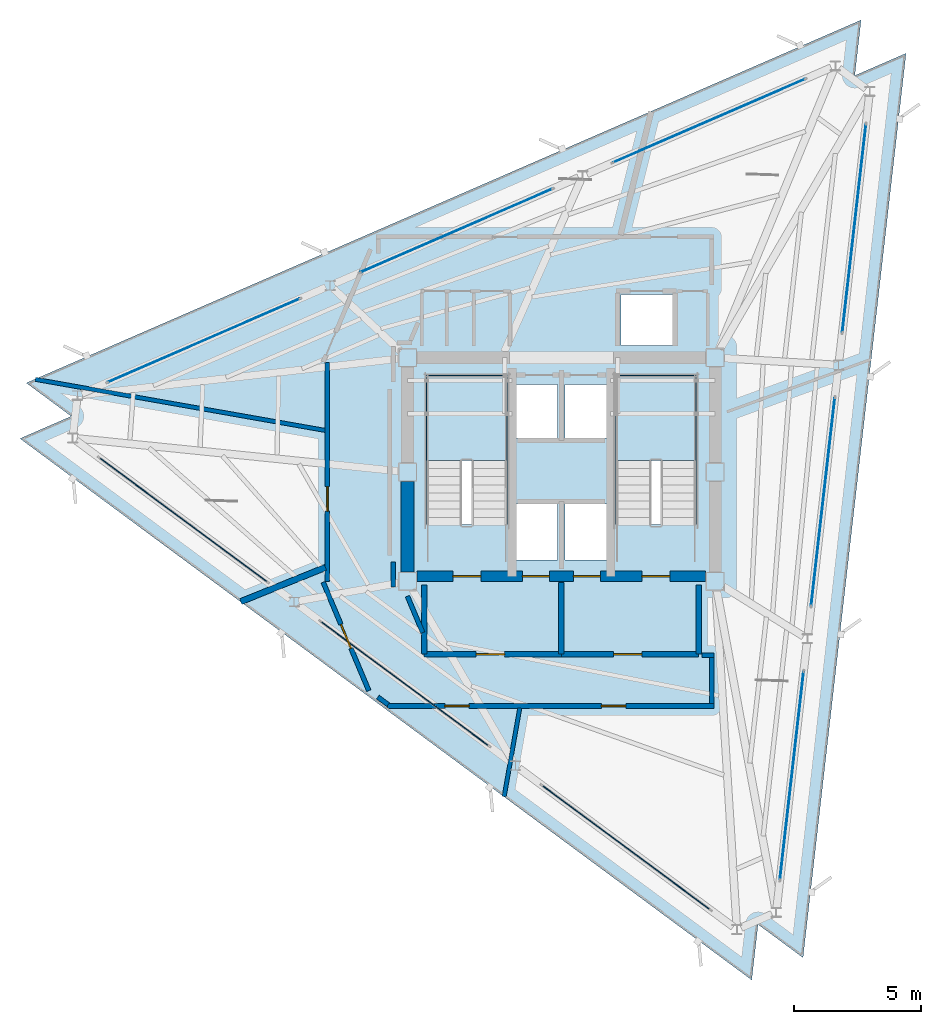
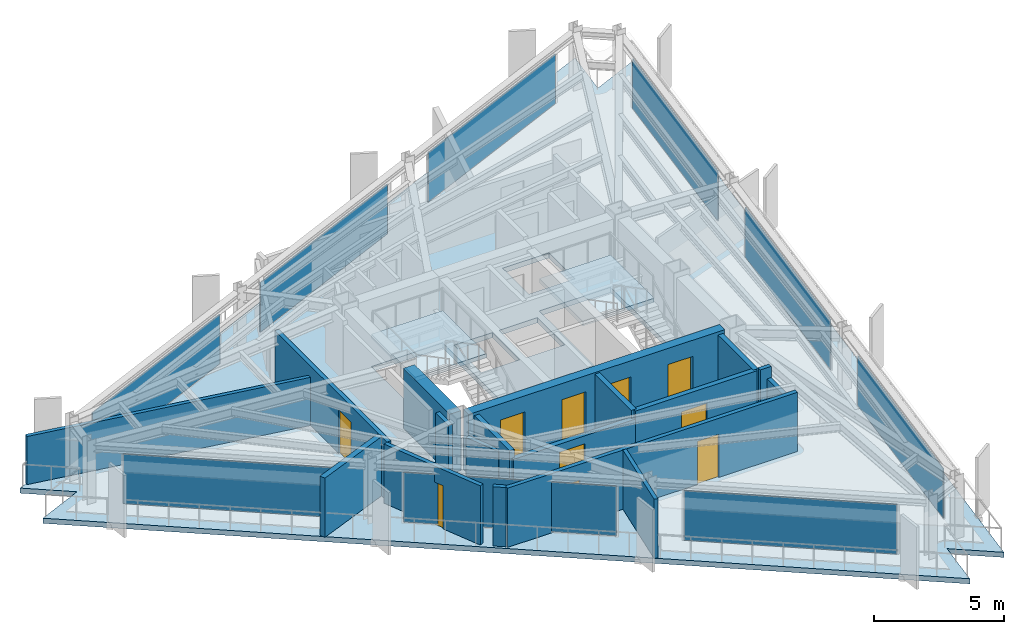
# One storey, part 5 of 10: 18 walls, 10 doors, 9 plates, 3 slabs, 10 openings, 11 elements without a shape of their own.
"""IFC4 building model written with IfcOpenShell, lengths in metres."""

import ifcopenshell
import ifcopenshell.guid

model = None  # the IFC model being written
_history = None  # IfcOwnerHistory: only IFC2X3 demands one
_inside = {}  # id of a spatial element -> (the spatial element, [elements in it])
_under = {}  # id of a project, library or spatial element -> (it, [spatial elements below it])
_declared = {}  # id of a project -> (the project, [libraries it declares])
_typed = {}  # id of a type object -> (the type object, [elements of that type])
_made_of = {}  # id of a material, layer set ... -> (it, [elements and type objects made of it])


def new_model(schema):
    """Start an empty IFC model of exactly this schema.

    Asked for "IFC4X3", IfcOpenShell would pick the latest addendum, in which some entities
    have other attributes; the version numbers below select the first issue.
    IFC2X3 requires an IfcOwnerHistory on every rooted entity: one is made here for all.
    """
    global model, _history
    if schema == "IFC4X3":
        model = ifcopenshell.file(schema_version=(4, 3, 0, 0))
    else:
        model = ifcopenshell.file(schema=schema)
    _inside.clear()
    _under.clear()
    _declared.clear()
    _typed.clear()
    _made_of.clear()
    _history = None
    if model.schema == "IFC2X3":
        org = make("IfcOrganization", Name="unknown")
        user = make(
            "IfcPersonAndOrganization",
            ThePerson=make("IfcPerson", FamilyName="unknown"),
            TheOrganization=org,
        )
        app = make(
            "IfcApplication",
            ApplicationDeveloper=org,
            Version="unknown",
            ApplicationFullName="unknown",
            ApplicationIdentifier="unknown",
        )
        _history = make(
            "IfcOwnerHistory",
            OwningUser=user,
            OwningApplication=app,
            ChangeAction="ADDED",
            CreationDate=0,
        )
    return model


def make(cls, **values):
    """One entity of the class cls with the attributes given. An attribute that is None is left unset."""
    return model.create_entity(
        cls, **{name: value for name, value in values.items() if value is not None}
    )


def rooted(cls, **values):
    """An entity with a GlobalId (a new one), such as an element, a storey or a relation."""
    return make(cls, GlobalId=ifcopenshell.guid.new(), OwnerHistory=_history, **values)


def si_unit(unit_type, name, prefix=None):
    """IfcSIUnit, for example si_unit("LENGTHUNIT", "METRE", prefix="MILLI")."""
    return make("IfcSIUnit", UnitType=unit_type, Prefix=prefix, Name=name)


def assignment(units):
    """IfcUnitAssignment: the units of a project."""
    return None if units is None else make("IfcUnitAssignment", Units=units)


def point(xyz):
    """IfcCartesianPoint."""
    return None if xyz is None else make("IfcCartesianPoint", Coordinates=xyz)


def direction(xyz):
    """IfcDirection."""
    return None if xyz is None else make("IfcDirection", DirectionRatios=xyz)


def frame(location, z_axis=None, x_axis=None):
    """IfcAxis2Placement3D, a coordinate frame: its origin and axes. An axis left out is left unset."""
    return make(
        "IfcAxis2Placement3D",
        Location=point(location),
        Axis=direction(z_axis),
        RefDirection=direction(x_axis),
    )


def frame_2d(location, x_axis=None):
    """IfcAxis2Placement2D, a coordinate frame in the plane: its origin and x axis."""
    return make(
        "IfcAxis2Placement2D", Location=point(location), RefDirection=direction(x_axis)
    )


def origin():
    """The frame at (0, 0, 0) with its axes left unset."""
    return frame((0.0, 0.0, 0.0))


def origin_2d():
    """The frame at (0, 0) in the plane with its x axis left unset."""
    return frame_2d((0.0, 0.0))


def place(relative_to, where):
    """IfcLocalPlacement: puts the frame where relative to a parent placement (None: the world)."""
    return make(
        "IfcLocalPlacement", PlacementRelTo=relative_to, RelativePlacement=where
    )


def context(
    kind, dimensions, precision=None, world=None, true_north=None, identifier=None
):
    """IfcGeometricRepresentationContext, for example the 3D "Model" context."""
    return make(
        "IfcGeometricRepresentationContext",
        ContextIdentifier=identifier,
        ContextType=kind,
        CoordinateSpaceDimension=dimensions,
        Precision=precision,
        WorldCoordinateSystem=world,
        TrueNorth=true_north,
    )


def subcontext(parent, identifier, kind, view, scale=None):
    """IfcGeometricRepresentationSubContext, for example "Body" below "Model"."""
    return make(
        "IfcGeometricRepresentationSubContext",
        ContextIdentifier=identifier,
        ContextType=kind,
        ParentContext=parent,
        TargetScale=scale,
        TargetView=view,
    )


def project(units=None, contexts=None):
    """IfcProject with its units and contexts."""
    return rooted(
        "IfcProject",
        Name="project",
        RepresentationContexts=contexts,
        UnitsInContext=assignment(units),
    )


def spatial(cls, under=None, at=None, **own):
    """A site, building, storey or space (cls), placed at a placement, below another one or the project."""
    s = rooted(cls, ObjectPlacement=at, **own)
    if under is not None:
        _under.setdefault(under.id(), (under, []))[1].append(s)
    return s


def polyline(points):
    """IfcPolyline through the points."""
    return make("IfcPolyline", Points=[point(p) for p in points])


def profile(cls, at=None, kind="AREA", **sizes):
    """A parametric profile (cls). Its sizes go by their IFC names, for example OverallWidth=200.0."""
    return make(cls, ProfileType=kind, Position=at, **sizes)


def rectangle(**sizes):
    """IfcRectangleProfileDef."""
    return profile("IfcRectangleProfileDef", **sizes)


def outline(outer, holes=None, kind="AREA"):
    """IfcArbitraryClosedProfileDef: a profile drawn as a closed curve; with holes, ...WithVoids."""
    if holes is None:
        return make("IfcArbitraryClosedProfileDef", ProfileType=kind, OuterCurve=outer)
    return make(
        "IfcArbitraryProfileDefWithVoids",
        ProfileType=kind,
        OuterCurve=outer,
        InnerCurves=holes,
    )


def extrude(swept, where, along, depth):
    """IfcExtrudedAreaSolid: the profile swept, set in the frame where, extruded along a direction by depth."""
    return make(
        "IfcExtrudedAreaSolid",
        SweptArea=swept,
        Position=where,
        ExtrudedDirection=direction(along),
        Depth=depth,
    )


def shape(context_of_items, identifier, shape_type, items):
    """IfcShapeRepresentation: the items that make up one representation, for example the "Body"."""
    return make(
        "IfcShapeRepresentation",
        ContextOfItems=context_of_items,
        RepresentationIdentifier=identifier,
        RepresentationType=shape_type,
        Items=items,
    )


def material(Name=None, Category=None):
    """IfcMaterial."""
    return make("IfcMaterial", Name=Name, Category=Category)


def layer(
    of_material, thickness, ventilated=None, Name=None, Category=None, Priority=None
):
    """IfcMaterialLayer: one layer of a wall or slab, of a material (None: an air gap)."""
    return make(
        "IfcMaterialLayer",
        Material=of_material,
        LayerThickness=thickness,
        IsVentilated=ventilated,
        Name=Name,
        Category=Category,
        Priority=Priority,
    )


def layer_set(layers, Name=None):
    """IfcMaterialLayerSet."""
    return make("IfcMaterialLayerSet", MaterialLayers=layers, LayerSetName=Name)


def made_of(thing, what):
    """Note that an element or type object is made of a material, layer set ...; save() writes the relation."""
    if what is not None:
        _made_of.setdefault(what.id(), (what, []))[1].append(thing)
    return thing


def type_object(cls, material=None, **own):
    """A type object (cls), such as IfcWallType, which elements share."""
    return made_of(rooted(cls, **own), material)


def element(
    cls,
    number,
    at=None,
    inside=None,
    cuts=None,
    type_object=None,
    material=None,
    context=None,
    identifier="Body",
    shape_type=None,
    held_by="IfcProductDefinitionShape",
    body=None,
    shapes=None,
    **own,
):
    """One element of the class cls, such as IfcWall. Its Tag is "e" and its number.

    at: its placement. inside: the storey or other place that contains it. cuts: it is an
    opening in that element (IfcRelVoidsElement). A single representation is given by context,
    identifier, shape_type and body (its items); several are given by shapes. held_by: the class
    of the entity that holds the representations. save() writes the other relations.
    """
    e = rooted(cls, Tag="e%d" % number, ObjectPlacement=at, **own)
    if body is not None:
        shapes = [shape(context, identifier, shape_type, body)]
    if shapes is not None:
        e.Representation = make(held_by, Representations=shapes)
    if inside is not None:
        _inside.setdefault(inside.id(), (inside, []))[1].append(e)
    if cuts is not None:
        rooted(
            "IfcRelVoidsElement", RelatingBuildingElement=cuts, RelatedOpeningElement=e
        )
    if type_object is not None:
        _typed.setdefault(type_object.id(), (type_object, []))[1].append(e)
    return made_of(e, material)


def fill(opening, filler):
    """IfcRelFillsElement: the door or window that sits in an opening."""
    return rooted(
        "IfcRelFillsElement",
        RelatingOpeningElement=opening,
        RelatedBuildingElement=filler,
    )


def aggregate(whole, parts):
    """IfcRelAggregates: a whole, such as a stair, and the parts it consists of."""
    return rooted("IfcRelAggregates", RelatingObject=whole, RelatedObjects=parts)


def save(model, path):
    """Write the relations noted so far, then the file.

    IfcRelAggregates (storeys below a building ...), IfcRelContainedInSpatialStructure (elements
    in a storey), IfcRelDefinesByType, IfcRelAssociatesMaterial and IfcRelDeclares: one each for
    every whole, place, type object, material and project.
    """
    for whole, parts in _under.values():
        aggregate(whole, parts)
    for where, things in _inside.values():
        rooted(
            "IfcRelContainedInSpatialStructure",
            RelatedElements=things,
            RelatingStructure=where,
        )
    for kind, things in _typed.values():
        rooted("IfcRelDefinesByType", RelatedObjects=things, RelatingType=kind)
    for what, things in _made_of.values():
        rooted("IfcRelAssociatesMaterial", RelatedObjects=things, RelatingMaterial=what)
    for by, libraries in _declared.values():
        rooted("IfcRelDeclares", RelatingContext=by, RelatedDefinitions=libraries)
    model.write(path)


model = new_model("IFC4")

# Units and contexts
model_context = context("Model", 3, precision=1e-05, world=origin(), true_north=direction((0.0, 1.0)))
body_context = subcontext(model_context, "Body", "Model", "MODEL_VIEW")
ifc_project = project(units=[si_unit("LENGTHUNIT", "METRE"), si_unit("AREAUNIT", "SQUARE_METRE"), si_unit("VOLUMEUNIT", "CUBIC_METRE"), si_unit("PLANEANGLEUNIT", "RADIAN"), si_unit("MASSUNIT", "GRAM", prefix="KILO")], contexts=[model_context])

# Site, building, storey
site_placement = place(None, origin())
site = spatial("IfcSite", under=ifc_project, at=site_placement, CompositionType="ELEMENT")
building_placement = place(site_placement, origin())
building = spatial("IfcBuilding", under=site, at=building_placement, Name="Rocaltana Carrier Exchange", CompositionType="ELEMENT")
storey_placement = place(building_placement, frame((0.0, 0.0, 220.9599609375)))
storey = spatial("IfcBuildingStorey", under=building, at=storey_placement, Name="L70", CompositionType="ELEMENT", Elevation=220.9599609375)

# Curtain wall, plate
ifc_material_1 = material(Name="Aluminium 6063-T6", Category="aluminium")
ifc_layer_1 = layer(ifc_material_1, 0.1201171875)
ifc_layer_set_1 = layer_set([ifc_layer_1], Name="Aluminium 6063-T6")
curtain_wall_type = type_object("IfcCurtainWallType", Name="High-Altitude Thermal Curtain Wall CW-05", PredefinedType="NOTDEFINED", material=ifc_layer_set_1)
curtain_wall_1_placement = place(storey_placement, origin())
curtain_wall_1 = element("IfcCurtainWall", 1, at=curtain_wall_1_placement, inside=storey, type_object=curtain_wall_type, Name="L70 CW-05 Run CW-L70-F1S1", PredefinedType="NOTDEFINED")
ifc_material_2 = material(Name="Tempered Laminated Glass", Category="glass")
ifc_layer_2 = layer(ifc_material_2, 0.035888671875)
ifc_layer_set_2 = layer_set([ifc_layer_2], Name="Tempered Laminated Glass")
plate_type = type_object("IfcPlateType", Name="CW-05 Stone-Insulated Vision Panel", PredefinedType="CURTAIN_PANEL", material=ifc_layer_set_2)
plate_1_placement = place(storey_placement, frame((9.061767578125, -11.935791015625, 0.06005859375), z_axis=(0.0, 0.0, 1.0), x_axis=(0.113208822277, 0.993571216652, 0.0)))
plate_1 = element("IfcPlate", 2, at=plate_1_placement, type_object=plate_type, Name="CW-05 panel 1.1", PredefinedType="CURTAIN_PANEL", context=body_context, shape_type="SweptSolid", body=[
    extrude(rectangle(XDim=8.21337890625, YDim=0.035888671875, at=origin_2d()), origin(), (0.0, 0.0, 1.0), 2.327880859375),
])
aggregate(curtain_wall_1, [plate_1])

curtain_wall_2_placement = place(storey_placement, origin())
curtain_wall_2 = element("IfcCurtainWall", 3, at=curtain_wall_2_placement, inside=storey, type_object=curtain_wall_type, Name="L70 CW-05 Run CW-L70-F1S2", PredefinedType="NOTDEFINED")
plate_2_placement = place(storey_placement, frame((10.2880859375, -1.172119140625, 0.06005859375), z_axis=(0.0, 0.0, 1.0), x_axis=(0.113208822277, 0.993571216652, 0.0)))
plate_2 = element("IfcPlate", 4, at=plate_2_placement, type_object=plate_type, Name="CW-05 panel 1.1", PredefinedType="CURTAIN_PANEL", context=body_context, shape_type="SweptSolid", body=[
    extrude(rectangle(XDim=8.21337890625, YDim=0.035888671875, at=origin_2d()), origin(), (0.0, 0.0, 1.0), 2.327880859375),
])
aggregate(curtain_wall_2, [plate_2])

curtain_wall_3_placement = place(storey_placement, origin())
curtain_wall_3 = element("IfcCurtainWall", 5, at=curtain_wall_3_placement, inside=storey, type_object=curtain_wall_type, Name="L70 CW-05 Run CW-L70-F1S3", PredefinedType="NOTDEFINED")
plate_3_placement = place(storey_placement, frame((11.5146484375, 9.591552734375, 0.06005859375), z_axis=(0.0, 0.0, 1.0), x_axis=(0.113196975964, 0.993572566365, 0.0)))
plate_3 = element("IfcPlate", 6, at=plate_3_placement, type_object=plate_type, Name="CW-05 panel 1.1", PredefinedType="CURTAIN_PANEL", context=body_context, shape_type="SweptSolid", body=[
    extrude(rectangle(XDim=8.21337890625, YDim=0.035888671875, at=origin_2d()), origin(), (0.0, 0.0, 1.0), 2.327880859375),
])
aggregate(curtain_wall_3, [plate_3])

curtain_wall_4_placement = place(storey_placement, origin())
curtain_wall_4 = element("IfcCurtainWall", 7, at=curtain_wall_4_placement, inside=storey, type_object=curtain_wall_type, Name="L70 CW-05 Run CW-L70-F2S1", PredefinedType="NOTDEFINED")
plate_4_placement = place(storey_placement, frame((5.805908203125, 13.815673828125, 0.06005859375), z_axis=(0.0, 0.0, 1.0), x_axis=(-0.917056701313, -0.39875682637, 0.0)))
plate_4 = element("IfcPlate", 8, at=plate_4_placement, type_object=plate_type, Name="CW-05 panel 1.1", PredefinedType="CURTAIN_PANEL", context=body_context, shape_type="SweptSolid", body=[
    extrude(rectangle(XDim=8.21337890625, YDim=0.035888671875, at=origin_2d()), origin(), (0.0, 0.0, 1.0), 2.327880859375),
])
aggregate(curtain_wall_4, [plate_4])

curtain_wall_5_placement = place(storey_placement, origin())
curtain_wall_5 = element("IfcCurtainWall", 9, at=curtain_wall_5_placement, inside=storey, type_object=curtain_wall_type, Name="L70 CW-05 Run CW-L70-F2S2", PredefinedType="NOTDEFINED")
plate_5_placement = place(storey_placement, frame((-4.12890625, 9.495849609375, 0.06005859375), z_axis=(0.0, 0.0, 1.0), x_axis=(-0.917058609352, -0.398752438254, 0.0)))
plate_5 = element("IfcPlate", 10, at=plate_5_placement, type_object=plate_type, Name="CW-05 panel 1.1", PredefinedType="CURTAIN_PANEL", context=body_context, shape_type="SweptSolid", body=[
    extrude(rectangle(XDim=8.21337890625, YDim=0.035888671875, at=origin_2d()), origin(), (0.0, 0.0, 1.0), 2.327880859375),
])
aggregate(curtain_wall_5, [plate_5])

curtain_wall_6_placement = place(storey_placement, origin())
curtain_wall_6 = element("IfcCurtainWall", 11, at=curtain_wall_6_placement, inside=storey, type_object=curtain_wall_type, Name="L70 CW-05 Run CW-L70-F2S3", PredefinedType="NOTDEFINED")
plate_6_placement = place(storey_placement, frame((-14.063720703125, 5.176025390625, 0.06005859375), z_axis=(0.0, 0.0, 1.0), x_axis=(-0.917056701313, -0.39875682637, 0.0)))
plate_6 = element("IfcPlate", 12, at=plate_6_placement, type_object=plate_type, Name="CW-05 panel 1.1", PredefinedType="CURTAIN_PANEL", context=body_context, shape_type="SweptSolid", body=[
    extrude(rectangle(XDim=8.21337890625, YDim=0.035888671875, at=origin_2d()), origin(), (0.0, 0.0, 1.0), 2.327880859375),
])
aggregate(curtain_wall_6, [plate_6])

curtain_wall_7_placement = place(storey_placement, origin())
curtain_wall_7 = element("IfcCurtainWall", 13, at=curtain_wall_7_placement, inside=storey, type_object=curtain_wall_type, Name="L70 CW-05 Run CW-L70-F3S1", PredefinedType="NOTDEFINED")
plate_7_placement = place(storey_placement, frame((-14.86767578125, -1.8798828125, 0.06005859375), z_axis=(0.0, 0.0, 1.0), x_axis=(0.803854063386, -0.594826566974, 0.0)))
plate_7 = element("IfcPlate", 14, at=plate_7_placement, type_object=plate_type, Name="CW-05 panel 1.1", PredefinedType="CURTAIN_PANEL", context=body_context, shape_type="SweptSolid", body=[
    extrude(rectangle(XDim=8.21337890625, YDim=0.035888671875, at=origin_2d()), origin(), (0.0, 0.0, 1.0), 2.327880859375),
])
aggregate(curtain_wall_7, [plate_7])

curtain_wall_8_placement = place(storey_placement, origin())
curtain_wall_8 = element("IfcCurtainWall", 15, at=curtain_wall_8_placement, inside=storey, type_object=curtain_wall_type, Name="L70 CW-05 Run CW-L70-F3S2", PredefinedType="NOTDEFINED")
plate_8_placement = place(storey_placement, frame((-6.1591796875, -8.32373046875, 0.06005859375), z_axis=(0.0, 0.0, 1.0), x_axis=(0.803858309141, -0.594820829179, 0.0)))
plate_8 = element("IfcPlate", 16, at=plate_8_placement, type_object=plate_type, Name="CW-05 panel 1.1", PredefinedType="CURTAIN_PANEL", context=body_context, shape_type="SweptSolid", body=[
    extrude(rectangle(XDim=8.21337890625, YDim=0.035888671875, at=origin_2d()), origin(), (0.0, 0.0, 1.0), 2.327880859375),
])
aggregate(curtain_wall_8, [plate_8])

curtain_wall_9_placement = place(storey_placement, origin())
curtain_wall_9 = element("IfcCurtainWall", 17, at=curtain_wall_9_placement, inside=storey, type_object=curtain_wall_type, Name="L70 CW-05 Run CW-L70-F3S3", PredefinedType="NOTDEFINED")
plate_9_placement = place(storey_placement, frame((2.54931640625, -14.767578125, 0.06005859375), z_axis=(0.0, 0.0, 1.0), x_axis=(0.803854063386, -0.594826566974, 0.0)))
plate_9 = element("IfcPlate", 18, at=plate_9_placement, type_object=plate_type, Name="CW-05 panel 1.1", PredefinedType="CURTAIN_PANEL", context=body_context, shape_type="SweptSolid", body=[
    extrude(rectangle(XDim=8.21337890625, YDim=0.035888671875, at=origin_2d()), origin(), (0.0, 0.0, 1.0), 2.327880859375),
])
aggregate(curtain_wall_9, [plate_9])

# Slab
ifc_material_3 = material(Name="Concrete C50/60", Category="concrete")
ifc_layer_3 = layer(ifc_material_3, 0.239990234375)
ifc_layer_set_3 = layer_set([ifc_layer_3], Name="Concrete C50/60")
slab_type_1 = type_object("IfcSlabType", Name="High-Zone Tower Slab 240", PredefinedType="FLOOR", material=ifc_layer_set_3)
slab_1_placement = place(storey_placement, frame((0.0, 0.0, -0.239990234375)))
element("IfcSlab", 19, at=slab_1_placement, inside=storey, type_object=slab_type_1, Name="L70 Structural Floor Slab", PredefinedType="FLOOR", context=body_context, shape_type="SweptSolid", body=[
    extrude(outline(polyline([(7.486328125, -19.975830078125), (7.7353515625, -17.7900390625), (9.50390625, -19.0986328125), (13.556396484375, 16.47119140625), (11.538818359375, 15.593994140625), (11.7880859375, 17.77978515625), (-21.042724609375, 3.504638671875), (-19.2744140625, 2.196044921875), (-21.291748046875, 1.31884765625), (7.486328125, -19.975830078125)]), holes=[polyline([(-5.300048828125, -2.06005859375), (-2.139892578125, -2.06005859375), (-2.139892578125, 3.800048828125), (-5.300048828125, 3.800048828125), (-5.300048828125, -2.06005859375)]), polyline([(2.139892578125, -2.06005859375), (5.300048828125, -2.06005859375), (5.300048828125, 3.800048828125), (2.139892578125, 3.800048828125), (2.139892578125, -2.06005859375)]), polyline([(-1.85009765625, -3.449951171875), (-0.14990234375, -3.449951171875), (-0.14990234375, -1.25), (-1.85009765625, -1.25), (-1.85009765625, -3.449951171875)]), polyline([(0.14990234375, -3.449951171875), (1.85009765625, -3.449951171875), (1.85009765625, -1.25), (0.14990234375, -1.25), (0.14990234375, -3.449951171875)]), polyline([(2.35009765625, 4.97998046875), (4.39990234375, 4.97998046875), (4.39990234375, 6.97998046875), (2.35009765625, 6.97998046875), (2.35009765625, 4.97998046875)]), polyline([(-1.85009765625, 1.35009765625), (-0.14990234375, 1.35009765625), (-0.14990234375, 3.449951171875), (-1.85009765625, 3.449951171875), (-1.85009765625, 1.35009765625)]), polyline([(0.14990234375, 1.35009765625), (1.85009765625, 1.35009765625), (1.85009765625, 3.449951171875), (0.14990234375, 3.449951171875), (0.14990234375, 1.35009765625)])]), origin(), (0.0, 0.0, 1.0), 0.239990234375),
])

# Stair, slab
ifc_material_4 = material(Name="Precast concrete C45/55", Category="concrete")
stair_type = type_object("IfcStairType", Name="Standard Dog-Leg Stair 160", PredefinedType="HALF_TURN_STAIR", material=ifc_material_4)
stair_1_placement = place(storey_placement, origin())
stair_1 = element("IfcStair", 20, at=stair_1_placement, inside=storey, type_object=stair_type, Name="L70 Core West Exit Stair ST-1", PredefinedType="HALF_TURN_STAIR")
ifc_material_5 = material(Name="Precast concrete C45/55", Category="concrete")
ifc_layer_4 = layer(ifc_material_5, 0.199951171875)
ifc_layer_set_4 = layer_set([ifc_layer_4], Name="Precast concrete C45/55")
slab_type_2 = type_object("IfcSlabType", Name="Precast Stair Half-Landing 200", PredefinedType="LANDING", material=ifc_layer_set_4)
slab_2_placement = place(storey_placement, frame((0.0, 0.0, 1.320068359375)))
slab_2 = element("IfcSlab", 21, at=slab_2_placement, type_object=slab_type_2, Name="ST-1 landing 1", PredefinedType="LANDING", context=body_context, shape_type="SweptSolid", body=[
    extrude(outline(polyline([(-2.139892578125, 0.4599609375), (-2.139892578125, 3.800048828125), (-5.300048828125, 3.800048828125), (-5.300048828125, 0.4599609375), (-2.139892578125, 0.4599609375)])), origin(), (0.0, 0.0, 1.0), 0.199951171875),
])
aggregate(stair_1, [slab_2])

stair_2_placement = place(storey_placement, origin())
stair_2 = element("IfcStair", 22, at=stair_2_placement, inside=storey, type_object=stair_type, Name="L70 Core East Exit Stair ST-2", PredefinedType="HALF_TURN_STAIR")
slab_3_placement = place(storey_placement, frame((0.0, 0.0, 1.320068359375)))
slab_3 = element("IfcSlab", 23, at=slab_3_placement, type_object=slab_type_2, Name="ST-2 landing 1", PredefinedType="LANDING", context=body_context, shape_type="SweptSolid", body=[
    extrude(outline(polyline([(5.300048828125, 0.4599609375), (5.300048828125, 3.800048828125), (2.139892578125, 3.800048828125), (2.139892578125, 0.4599609375), (5.300048828125, 0.4599609375)])), origin(), (0.0, 0.0, 1.0), 0.199951171875),
])
aggregate(stair_2, [slab_3])

# Walls
ifc_material_6 = material(Name="Double Acoustic Gypsum Partition", Category="gypsum")
ifc_layer_5 = layer(ifc_material_6, 0.159912109375)
ifc_layer_set_5 = layer_set([ifc_layer_5], Name="Double Acoustic Gypsum Partition")
wall_type_1 = type_object("IfcWallType", Name="Acoustic Studio Partition 160 EI60", PredefinedType="PARTITIONING", material=ifc_layer_set_5)
wall_1_placement = place(storey_placement, frame((-1.63623046875, -9.280029296875, 0.0), z_axis=(0.0, 0.0, 1.0), x_axis=(-0.17367100135, -0.984803728308, 0.0)))
element("IfcWall", 24, at=wall_1_placement, inside=storey, type_object=wall_type_1, Name="L70 Suite Divider Wall D2", PredefinedType="PARTITIONING", context=body_context, shape_type="SweptSolid", body=[
    extrude(rectangle(XDim=3.53271484375, YDim=0.159912109375, at=frame_2d((1.766357421875, 0.0))), origin(), (0.0, 0.0, 1.0), 2.77294921875),
])
wall_2_placement = place(storey_placement, frame((-9.280029296875, 1.63623046875, 0.0), z_axis=(0.0, 0.0, 1.0), x_axis=(-0.984805616272, 0.173660295285, 0.0)))
element("IfcWall", 25, at=wall_2_placement, inside=storey, type_object=wall_type_1, Name="L70 Suite Divider Wall D5", PredefinedType="PARTITIONING", context=body_context, shape_type="SweptSolid", body=[
    extrude(rectangle(XDim=11.584228515625, YDim=0.159912109375, at=frame_2d((5.7919921875, 0.0))), origin(), (0.0, 0.0, 1.0), 2.2529296875),
])

# Wall, openings, doors
ifc_material_7 = material(Name="Concrete C50/60", Category="concrete")
ifc_layer_6 = layer(ifc_material_7, 0.39990234375)
ifc_layer_set_6 = layer_set([ifc_layer_6], Name="Concrete C50/60")
wall_type_2 = type_object("IfcWallType", Name="Core Internal Shear Wall 400", PredefinedType="SHEAR", material=ifc_layer_set_6)
wall_3_placement = place(storey_placement, frame((-5.675048828125, -4.10009765625, 0.0), z_axis=(0.0, 0.0, 1.0), x_axis=(1.0, 0.0, 0.0)))
wall_3 = element("IfcWall", 26, at=wall_3_placement, inside=storey, type_object=wall_type_2, Name="L70 Core Shear Wall CW-S", PredefinedType="SHEAR", context=body_context, shape_type="SweptSolid", body=[
    extrude(rectangle(XDim=11.35009765625, YDim=0.39990234375, at=frame_2d((5.675048828125, 0.0))), origin(), (0.0, 0.0, 1.0), 2.798095703125),
])
opening_1_placement = place(wall_3_placement, frame((1.405029296875, 0.0, 0.0)))
opening_1 = element("IfcOpeningElement", 27, at=opening_1_placement, cuts=wall_3, Name="Opening D-ST110", PredefinedType="OPENING", context=body_context, shape_type="SweptSolid", body=[
    extrude(rectangle(XDim=1.10009765625, YDim=2.0400390625, at=frame_2d((0.550048828125, 1.02001953125))), frame((0.0, 0.2099609375, 0.0), z_axis=(0.0, -1.0, 0.0), x_axis=(1.0, 0.0, 0.0)), (0.0, 0.0, 1.0), 0.419921875),
])
opening_2_placement = place(wall_3_placement, frame((8.844970703125, 0.0, 0.0)))
opening_2 = element("IfcOpeningElement", 28, at=opening_2_placement, cuts=wall_3, Name="Opening D-ST110", PredefinedType="OPENING", context=body_context, shape_type="SweptSolid", body=[
    extrude(rectangle(XDim=1.10009765625, YDim=2.0400390625, at=frame_2d((0.550048828125, 1.02001953125))), frame((0.0, 0.2099609375, 0.0), z_axis=(0.0, -1.0, 0.0), x_axis=(1.0, 0.0, 0.0)), (0.0, 0.0, 1.0), 0.419921875),
])
opening_3_placement = place(wall_3_placement, frame((4.14501953125, 0.0, 0.0)))
opening_3 = element("IfcOpeningElement", 29, at=opening_3_placement, cuts=wall_3, Name="Opening LD-110", PredefinedType="OPENING", context=body_context, shape_type="SweptSolid", body=[
    extrude(rectangle(XDim=1.06005859375, YDim=2.0400390625, at=frame_2d((0.530029296875, 1.02001953125))), frame((0.0, 0.2099609375, 0.0), z_axis=(0.0, -1.0, 0.0), x_axis=(1.0, 0.0, 0.0)), (0.0, 0.0, 1.0), 0.419921875),
])
opening_4_placement = place(wall_3_placement, frame((6.14501953125, 0.0, 0.0)))
opening_4 = element("IfcOpeningElement", 30, at=opening_4_placement, cuts=wall_3, Name="Opening LD-110", PredefinedType="OPENING", context=body_context, shape_type="SweptSolid", body=[
    extrude(rectangle(XDim=1.06005859375, YDim=2.0400390625, at=frame_2d((0.530029296875, 1.02001953125))), frame((0.0, 0.2099609375, 0.0), z_axis=(0.0, -1.0, 0.0), x_axis=(1.0, 0.0, 0.0)), (0.0, 0.0, 1.0), 0.419921875),
])
ifc_material_8 = material(Name="Hollow Metal Fire Door Assembly", Category="steel")
door_type_1 = type_object("IfcDoorType", Name="Exit Stair Fire Door 1100x2040 FD90S", OperationType="NOTDEFINED", PredefinedType="DOOR", material=ifc_material_8)
door_1_placement = place(opening_1_placement, origin())
door_1 = element("IfcDoor", 31, at=door_1_placement, inside=storey, type_object=door_type_1, Name="L70 Exit Stair ST1 Fire Door", OperationType="SINGLE_SWING_LEFT", OverallHeight=2.0400390625, OverallWidth=1.10009765625, PredefinedType="DOOR", context=body_context, shape_type="SweptSolid", body=[
    extrude(rectangle(XDim=1.10009765625, YDim=2.0400390625, at=frame_2d((0.550048828125, 1.02001953125))), frame((0.0, 0.02490234375, 0.0), z_axis=(0.0, -1.0, 0.0), x_axis=(1.0, 0.0, 0.0)), (0.0, 0.0, 1.0), 0.050048828125),
])
fill(opening_1, door_1)
door_2_placement = place(opening_2_placement, origin())
door_2 = element("IfcDoor", 32, at=door_2_placement, inside=storey, type_object=door_type_1, Name="L70 Exit Stair ST2 Fire Door", OperationType="SINGLE_SWING_RIGHT", OverallHeight=2.0400390625, OverallWidth=1.10009765625, PredefinedType="DOOR", context=body_context, shape_type="SweptSolid", body=[
    extrude(rectangle(XDim=1.10009765625, YDim=2.0400390625, at=frame_2d((0.550048828125, 1.02001953125))), frame((0.0, 0.02490234375, 0.0), z_axis=(0.0, -1.0, 0.0), x_axis=(1.0, 0.0, 0.0)), (0.0, 0.0, 1.0), 0.050048828125),
])
fill(opening_2, door_2)
ifc_material_9 = material(Name="Brushed Stainless Sliding Door Leaf", Category="steel")
door_type_2 = type_object("IfcDoorType", Name="Lift Landing Sliding Door 1060x2040", OperationType="NOTDEFINED", PredefinedType="DOOR", material=ifc_material_9)
door_3_placement = place(opening_3_placement, origin())
door_3 = element("IfcDoor", 33, at=door_3_placement, inside=storey, type_object=door_type_2, Name="L70 Firefighting Lift FFL1 Landing Door", OperationType="SLIDING_TO_LEFT", OverallHeight=2.0400390625, OverallWidth=1.06005859375, PredefinedType="DOOR", context=body_context, shape_type="SweptSolid", body=[
    extrude(rectangle(XDim=1.06005859375, YDim=2.0400390625, at=frame_2d((0.530029296875, 1.02001953125))), frame((0.0, 0.02490234375, 0.0), z_axis=(0.0, -1.0, 0.0), x_axis=(1.0, 0.0, 0.0)), (0.0, 0.0, 1.0), 0.050048828125),
])
fill(opening_3, door_3)
door_4_placement = place(opening_4_placement, origin())
door_4 = element("IfcDoor", 34, at=door_4_placement, inside=storey, type_object=door_type_2, Name="L70 Firefighting Lift FFL2 Landing Door", OperationType="SLIDING_TO_RIGHT", OverallHeight=2.0400390625, OverallWidth=1.06005859375, PredefinedType="DOOR", context=body_context, shape_type="SweptSolid", body=[
    extrude(rectangle(XDim=1.06005859375, YDim=2.0400390625, at=frame_2d((0.530029296875, 1.02001953125))), frame((0.0, 0.02490234375, 0.0), z_axis=(0.0, -1.0, 0.0), x_axis=(1.0, 0.0, 0.0)), (0.0, 0.0, 1.0), 0.050048828125),
])
fill(opening_4, door_4)

# Wall
ifc_material_10 = material(Name="Concrete C50/60", Category="concrete")
ifc_layer_7 = layer(ifc_material_10, 0.5)
ifc_layer_set_7 = layer_set([ifc_layer_7], Name="Concrete C50/60")
wall_type_3 = type_object("IfcWallType", Name="Core Shear Wall 500", PredefinedType="SHEAR", material=ifc_layer_set_7)
wall_4_placement = place(storey_placement, frame((-6.050048828125, -3.925048828125, 0.0), z_axis=(0.0, 0.0, 1.0), x_axis=(0.0, 1.0, 0.0)))
element("IfcWall", 35, at=wall_4_placement, inside=storey, type_object=wall_type_3, Name="L70 Core Shear Wall CW-WS", PredefinedType="SHEAR", context=body_context, shape_type="SweptSolid", body=[
    extrude(rectangle(XDim=3.550048828125, YDim=0.5, at=frame_2d((1.77490234375, 0.0))), origin(), (0.0, 0.0, 1.0), 2.798095703125),
])

# Wall, opening, door
ifc_material_11 = material(Name="Gypsum & Steel Stud Partition", Category="steel")
ifc_layer_8 = layer(ifc_material_11, 0.179931640625)
ifc_layer_set_8 = layer_set([ifc_layer_8], Name="Gypsum & Steel Stud Partition")
wall_type_4 = type_object("IfcWallType", Name="Corridor Fire Partition 180 EI60", PredefinedType="PARTITIONING", material=ifc_layer_set_8)
wall_5_placement = place(storey_placement, frame((-7.573974609375, -8.595703125, 0.0), z_axis=(0.0, 0.0, 1.0), x_axis=(-0.38757793583, 0.921836939842, 0.0)))
wall_5 = element("IfcWall", 36, at=wall_5_placement, inside=storey, type_object=wall_type_4, Name="L70 Corridor Partition 1", PredefinedType="PARTITIONING", context=body_context, shape_type="SweptSolid", body=[
    extrude(rectangle(XDim=4.62548828125, YDim=0.179931640625, at=frame_2d((2.312744140625, 0.0))), origin(), (0.0, 0.0, 1.0), 2.77294921875),
])
opening_5_placement = place(wall_5_placement, frame((1.802734375, 0.0, 0.0)))
opening_5 = element("IfcOpeningElement", 37, at=opening_5_placement, cuts=wall_5, Name="Opening D-LB104", PredefinedType="OPENING", context=body_context, shape_type="SweptSolid", body=[
    extrude(rectangle(XDim=1.02001953125, YDim=2.02001953125, at=frame_2d((0.510009765625, 1.010009765625))), frame((0.0, 0.099853515625, 0.0), z_axis=(0.0, -1.0, 0.0), x_axis=(1.0, 0.0, 0.0)), (0.0, 0.0, 1.0), 0.199951171875),
])
ifc_material_12 = material(Name="Powder-Coated Aluminium 6063-T6", Category="aluminium")
door_type_3 = type_object("IfcDoorType", Name="Laboratory Acoustic Door 1020x2020", OperationType="NOTDEFINED", PredefinedType="DOOR", material=ifc_material_12)
door_5_placement = place(opening_5_placement, origin())
door_5 = element("IfcDoor", 38, at=door_5_placement, inside=storey, type_object=door_type_3, Name="L70 Photonic Integration Workshop Entrance Door", OperationType="SINGLE_SWING_RIGHT", OverallHeight=2.02001953125, OverallWidth=1.02001953125, PredefinedType="DOOR", context=body_context, shape_type="SweptSolid", body=[
    extrude(rectangle(XDim=1.02001953125, YDim=2.02001953125, at=frame_2d((0.510009765625, 1.010009765625))), frame((0.0, 0.02490234375, 0.0), z_axis=(0.0, -1.0, 0.0), x_axis=(1.0, 0.0, 0.0)), (0.0, 0.0, 1.0), 0.050048828125),
])
fill(opening_5, door_5)

wall_6_placement = place(storey_placement, frame((-9.199951171875, -4.303466796875, 0.0), z_axis=(0.0, 0.0, 1.0), x_axis=(0.0, 1.0, 0.0)))
wall_6 = element("IfcWall", 39, at=wall_6_placement, inside=storey, type_object=wall_type_4, Name="L70 Corridor Partition 2", PredefinedType="PARTITIONING", context=body_context, shape_type="SweptSolid", body=[
    extrude(rectangle(XDim=8.60693359375, YDim=0.179931640625, at=frame_2d((4.303466796875, 0.0))), origin(), (0.0, 0.0, 1.0), 2.77294921875),
])
opening_6_placement = place(wall_6_placement, frame((2.76708984375, 0.0, 0.0)))
opening_6 = element("IfcOpeningElement", 40, at=opening_6_placement, cuts=wall_6, Name="Opening D-RM098", PredefinedType="OPENING", context=body_context, shape_type="SweptSolid", body=[
    extrude(rectangle(XDim=0.9599609375, YDim=2.02001953125, at=frame_2d((0.47998046875, 1.010009765625))), frame((0.0, 0.099853515625, 0.0), z_axis=(0.0, -1.0, 0.0), x_axis=(1.0, 0.0, 0.0)), (0.0, 0.0, 1.0), 0.199951171875),
])
ifc_material_13 = material(Name="Engineered Hardwood Timber", Category="wood")
door_type_4 = type_object("IfcDoorType", Name="Workspace Single Door 960x2020", OperationType="NOTDEFINED", PredefinedType="DOOR", material=ifc_material_13)
door_6_placement = place(opening_6_placement, origin())
door_6 = element("IfcDoor", 41, at=door_6_placement, inside=storey, type_object=door_type_4, Name="L70 Network Engineering Studio Entrance Door", OperationType="SINGLE_SWING_LEFT", OverallHeight=2.02001953125, OverallWidth=0.9599609375, PredefinedType="DOOR", context=body_context, shape_type="SweptSolid", body=[
    extrude(rectangle(XDim=0.9599609375, YDim=2.02001953125, at=frame_2d((0.47998046875, 1.010009765625))), frame((0.0, 0.02490234375, 0.0), z_axis=(0.0, -1.0, 0.0), x_axis=(1.0, 0.0, 0.0)), (0.0, 0.0, 1.0), 0.050048828125),
])
fill(opening_6, door_6)

# Walls
wall_7_placement = place(storey_placement, frame((-6.610107421875, -3.541259765625, 0.0), z_axis=(0.0, 0.0, 1.0), x_axis=(0.0, -1.0, 0.0)))
element("IfcWall", 42, at=wall_7_placement, inside=storey, type_object=wall_type_4, Name="L70 Corridor Partition 12", PredefinedType="PARTITIONING", context=body_context, shape_type="SweptSolid", body=[
    extrude(rectangle(XDim=0.978759765625, YDim=0.179931640625, at=frame_2d((0.4892578125, 0.0))), origin(), (0.0, 0.0, 1.0), 2.77294921875),
])
wall_8_placement = place(storey_placement, frame((-6.0546875, -4.881591796875, 0.0), z_axis=(0.0, 0.0, 1.0), x_axis=(0.387579540458, -0.921836265189, 0.0)))
element("IfcWall", 43, at=wall_8_placement, inside=storey, type_object=wall_type_4, Name="L70 Corridor Partition 13", PredefinedType="PARTITIONING", context=body_context, shape_type="SweptSolid", body=[
    extrude(rectangle(XDim=1.5546875, YDim=0.179931640625, at=frame_2d((0.77734375, 0.0))), origin(), (0.0, 0.0, 1.0), 2.2529296875),
])
wall_9_placement = place(storey_placement, frame((5.530029296875, -7.199951171875, 0.0), z_axis=(0.0, 0.0, 1.0), x_axis=(1.0, 0.0, 0.0)))
element("IfcWall", 44, at=wall_9_placement, inside=storey, type_object=wall_type_4, Name="L70 Corridor Partition 14", PredefinedType="PARTITIONING", context=body_context, shape_type="SweptSolid", body=[
    extrude(rectangle(XDim=0.47998046875, YDim=0.179931640625, at=frame_2d((0.239990234375, 0.0))), origin(), (0.0, 0.0, 1.0), 2.77294921875),
])
wall_10_placement = place(storey_placement, frame((5.919921875, -7.2900390625, 0.0), z_axis=(0.0, 0.0, 1.0), x_axis=(0.0, -1.0, 0.0)))
element("IfcWall", 45, at=wall_10_placement, inside=storey, type_object=wall_type_4, Name="L70 Corridor Partition 15", PredefinedType="PARTITIONING", context=body_context, shape_type="SweptSolid", body=[
    extrude(rectangle(XDim=1.820068359375, YDim=0.179931640625, at=frame_2d((0.91015625, 0.0))), origin(), (0.0, 0.0, 1.0), 2.2529296875),
])

# Wall, openings, doors
wall_11_placement = place(storey_placement, frame((6.010009765625, -9.199951171875, 0.0), z_axis=(0.0, 0.0, 1.0), x_axis=(-1.0, 0.0, 0.0)))
wall_11 = element("IfcWall", 46, at=wall_11_placement, inside=storey, type_object=wall_type_4, Name="L70 Corridor Partition 16", PredefinedType="PARTITIONING", context=body_context, shape_type="SweptSolid", body=[
    extrude(rectangle(XDim=12.840087890625, YDim=0.179931640625, at=frame_2d((6.419921875, 0.0))), origin(), (0.0, 0.0, 1.0), 2.77294921875),
])
opening_7_placement = place(wall_11_placement, frame((9.633544921875, 0.0, 0.0)))
opening_7 = element("IfcOpeningElement", 47, at=opening_7_placement, cuts=wall_11, Name="Opening D-RM098", PredefinedType="OPENING", context=body_context, shape_type="SweptSolid", body=[
    extrude(rectangle(XDim=0.9599609375, YDim=2.02001953125, at=frame_2d((0.47998046875, 1.010009765625))), frame((0.0, 0.099853515625, 0.0), z_axis=(0.0, -1.0, 0.0), x_axis=(1.0, 0.0, 0.0)), (0.0, 0.0, 1.0), 0.199951171875),
])
opening_8_placement = place(wall_11_placement, frame((3.47265625, 0.0, 0.0)))
opening_8 = element("IfcOpeningElement", 48, at=opening_8_placement, cuts=wall_11, Name="Opening D-RM098", PredefinedType="OPENING", context=body_context, shape_type="SweptSolid", body=[
    extrude(rectangle(XDim=0.9599609375, YDim=2.02001953125, at=frame_2d((0.47998046875, 1.010009765625))), frame((0.0, 0.099853515625, 0.0), z_axis=(0.0, -1.0, 0.0), x_axis=(1.0, 0.0, 0.0)), (0.0, 0.0, 1.0), 0.199951171875),
])
door_7_placement = place(opening_7_placement, origin())
door_7 = element("IfcDoor", 49, at=door_7_placement, inside=storey, type_object=door_type_4, Name="L70 Network Engineering Studio Entrance Door", OperationType="SINGLE_SWING_LEFT", OverallHeight=2.02001953125, OverallWidth=0.9599609375, PredefinedType="DOOR", context=body_context, shape_type="SweptSolid", body=[
    extrude(rectangle(XDim=0.9599609375, YDim=2.02001953125, at=frame_2d((0.47998046875, 1.010009765625))), frame((0.0, 0.02490234375, 0.0), z_axis=(0.0, -1.0, 0.0), x_axis=(1.0, 0.0, 0.0)), (0.0, 0.0, 1.0), 0.050048828125),
])
fill(opening_7, door_7)
door_8_placement = place(opening_8_placement, origin())
door_8 = element("IfcDoor", 50, at=door_8_placement, inside=storey, type_object=door_type_4, Name="L70 Peering Conference Room Entrance Door", OperationType="SINGLE_SWING_RIGHT", OverallHeight=2.02001953125, OverallWidth=0.9599609375, PredefinedType="DOOR", context=body_context, shape_type="SweptSolid", body=[
    extrude(rectangle(XDim=0.9599609375, YDim=2.02001953125, at=frame_2d((0.47998046875, 1.010009765625))), frame((0.0, 0.02490234375, 0.0), z_axis=(0.0, -1.0, 0.0), x_axis=(1.0, 0.0, 0.0)), (0.0, 0.0, 1.0), 0.050048828125),
])
fill(opening_8, door_8)

# Walls
wall_12_placement = place(storey_placement, frame((-6.8125, -9.146484375, 0.0), z_axis=(0.0, 0.0, 1.0), x_axis=(-0.803893055119, 0.594773869577, 0.0)))
element("IfcWall", 51, at=wall_12_placement, inside=storey, type_object=wall_type_4, Name="L70 Corridor Partition 17", PredefinedType="PARTITIONING", context=body_context, shape_type="SweptSolid", body=[
    extrude(rectangle(XDim=0.501953125, YDim=0.179931640625, at=frame_2d((0.2509765625, 0.0))), origin(), (0.0, 0.0, 1.0), 2.77294921875),
])
ifc_material_14 = material(Name="Autoclaved Aerated Concrete C30/37", Category="concrete")
ifc_layer_9 = layer(ifc_material_14, 0.219970703125)
ifc_layer_set_9 = layer_set([ifc_layer_9], Name="Autoclaved Aerated Concrete C30/37")
wall_type_5 = type_object("IfcWallType", Name="Firefighting Lobby Wall 220 EI120", PredefinedType="PARTITIONING", material=ifc_layer_set_9)
for number, where, z_axis, x_axis, name in (
    (52, (-5.39990234375, -7.159912109375, 0.0), (0.0, 0.0, 1.0), (0.0, 1.0, 0.0), "L70 FFL Lobby 1 West Wall"),
    (53, (5.39990234375, -7.159912109375, 0.0), (0.0, 0.0, 1.0), (0.0, 1.0, 0.0), "L70 FFL Lobby 2 East Wall"),
):
    element("IfcWall", number, at=place(storey_placement, frame(where, z_axis=z_axis, x_axis=x_axis)), inside=storey, type_object=wall_type_5, Name=name, PredefinedType="PARTITIONING", context=body_context, shape_type="SweptSolid", body=[
        extrude(rectangle(XDim=2.7099609375, YDim=0.219970703125, at=frame_2d((1.35498046875, 0.0))), origin(), (0.0, 0.0, 1.0), 2.77294921875),
    ])
wall_13_placement = place(storey_placement, frame((0.0, -7.159912109375, 0.0), z_axis=(0.0, 0.0, 1.0), x_axis=(0.0, 1.0, 0.0)))
element("IfcWall", 54, at=wall_13_placement, inside=storey, type_object=wall_type_5, Name="L70 FFL Lobby Centre Wall", PredefinedType="PARTITIONING", context=body_context, shape_type="SweptSolid", body=[
    extrude(rectangle(XDim=2.809814453125, YDim=0.219970703125, at=frame_2d((1.40478515625, 0.0))), origin(), (0.0, 0.0, 1.0), 2.77294921875),
])

# Wall, opening, door
wall_14_placement = place(storey_placement, frame((-5.39990234375, -7.159912109375, 0.0), z_axis=(0.0, 0.0, 1.0), x_axis=(1.0, 0.0, 0.0)))
wall_14 = element("IfcWall", 55, at=wall_14_placement, inside=storey, type_object=wall_type_5, Name="L70 FFL Lobby 1 South Wall", PredefinedType="PARTITIONING", context=body_context, shape_type="SweptSolid", body=[
    extrude(rectangle(XDim=5.39990234375, YDim=0.219970703125, at=frame_2d((2.699951171875, 0.0))), origin(), (0.0, 0.0, 1.0), 2.39501953125),
])
opening_9_placement = place(wall_14_placement, frame((2.050048828125, 0.0, 0.0)))
opening_9 = element("IfcOpeningElement", 56, at=opening_9_placement, cuts=wall_14, Name="Opening D-FF115", PredefinedType="OPENING", context=body_context, shape_type="SweptSolid", body=[
    extrude(rectangle(XDim=1.1201171875, YDim=2.02001953125, at=frame_2d((0.56005859375, 1.010009765625))), frame((0.0, 0.119873046875, 0.0), z_axis=(0.0, -1.0, 0.0), x_axis=(1.0, 0.0, 0.0)), (0.0, 0.0, 1.0), 0.239990234375),
])
ifc_material_15 = material(Name="Hollow Metal Fire Door Assembly", Category="steel")
door_type_5 = type_object("IfcDoorType", Name="Firefighting Lobby Door 1120x2020 FD60S", OperationType="NOTDEFINED", PredefinedType="DOOR", material=ifc_material_15)
door_9_placement = place(opening_9_placement, origin())
door_9 = element("IfcDoor", 57, at=door_9_placement, inside=storey, type_object=door_type_5, Name="L70 Firefighting Lift Lobby 1 Door", OperationType="SINGLE_SWING_LEFT", OverallHeight=2.02001953125, OverallWidth=1.1201171875, PredefinedType="DOOR", context=body_context, shape_type="SweptSolid", body=[
    extrude(rectangle(XDim=1.1201171875, YDim=2.02001953125, at=frame_2d((0.56005859375, 1.010009765625))), frame((0.0, 0.02490234375, 0.0), z_axis=(0.0, -1.0, 0.0), x_axis=(1.0, 0.0, 0.0)), (0.0, 0.0, 1.0), 0.050048828125),
])
fill(opening_9, door_9)

wall_15_placement = place(storey_placement, frame((0.0, -7.159912109375, 0.0), z_axis=(0.0, 0.0, 1.0), x_axis=(1.0, 0.0, 0.0)))
wall_15 = element("IfcWall", 58, at=wall_15_placement, inside=storey, type_object=wall_type_5, Name="L70 FFL Lobby 2 South Wall", PredefinedType="PARTITIONING", context=body_context, shape_type="SweptSolid", body=[
    extrude(rectangle(XDim=5.39990234375, YDim=0.219970703125, at=frame_2d((2.699951171875, 0.0))), origin(), (0.0, 0.0, 1.0), 2.77294921875),
])
opening_10_placement = place(wall_15_placement, frame((2.050048828125, 0.0, 0.0)))
opening_10 = element("IfcOpeningElement", 59, at=opening_10_placement, cuts=wall_15, Name="Opening D-FF115", PredefinedType="OPENING", context=body_context, shape_type="SweptSolid", body=[
    extrude(rectangle(XDim=1.1201171875, YDim=2.02001953125, at=frame_2d((0.56005859375, 1.010009765625))), frame((0.0, 0.119873046875, 0.0), z_axis=(0.0, -1.0, 0.0), x_axis=(1.0, 0.0, 0.0)), (0.0, 0.0, 1.0), 0.239990234375),
])
door_10_placement = place(opening_10_placement, origin())
door_10 = element("IfcDoor", 60, at=door_10_placement, inside=storey, type_object=door_type_5, Name="L70 Firefighting Lift Lobby 2 Door", OperationType="SINGLE_SWING_RIGHT", OverallHeight=2.02001953125, OverallWidth=1.1201171875, PredefinedType="DOOR", context=body_context, shape_type="SweptSolid", body=[
    extrude(rectangle(XDim=1.1201171875, YDim=2.02001953125, at=frame_2d((0.56005859375, 1.010009765625))), frame((0.0, 0.02490234375, 0.0), z_axis=(0.0, -1.0, 0.0), x_axis=(1.0, 0.0, 0.0)), (0.0, 0.0, 1.0), 0.050048828125),
])
fill(opening_10, door_10)

# Wall
ifc_material_16 = material(Name="Acoustic Calcium Silicate Partition", Category="gypsum")
ifc_layer_10 = layer(ifc_material_16, 0.239990234375)
ifc_layer_set_10 = layer_set([ifc_layer_10], Name="Acoustic Calcium Silicate Partition")
wall_type_6 = type_object("IfcWallType", Name="Heavy Lab Partition 240 EI90", PredefinedType="PARTITIONING", material=ifc_layer_set_10)
wall_16_placement = place(storey_placement, frame((-9.280029296875, -3.74951171875, 0.0), z_axis=(0.0, 0.0, 1.0), x_axis=(-0.927209590074, -0.374542889499, 0.0)))
element("IfcWall", 61, at=wall_16_placement, inside=storey, type_object=wall_type_6, Name="L70 Suite Divider Wall D1", PredefinedType="PARTITIONING", context=body_context, shape_type="SweptSolid", body=[
    extrude(rectangle(XDim=3.589599609375, YDim=0.239990234375, at=frame_2d((1.794921875, 0.0))), origin(), (0.0, 0.0, 1.0), 2.77294921875),
])

save(model, "model.ifc")
